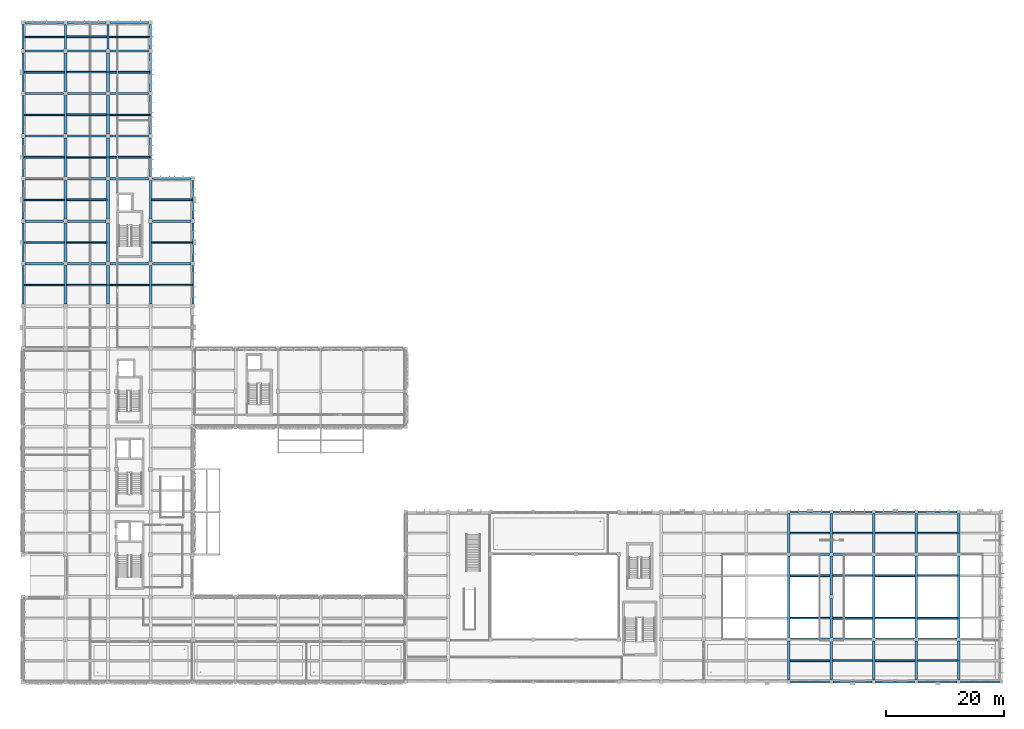
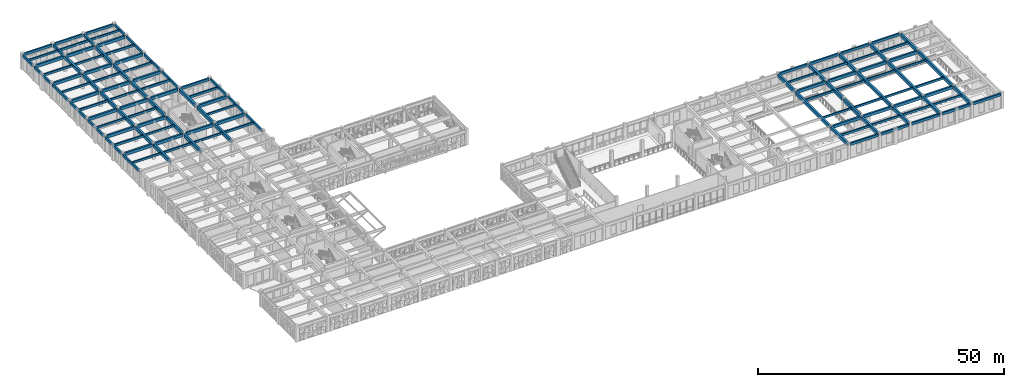
# One storey, part 16 of 88: 125 beams.
"""IFC4 building model written with IfcOpenShell, lengths in metres."""

from ifc_helpers import new_model, si_unit, direction, frame, origin, origin_2d, place, context, subcontext, project, spatial, rectangle, extrude, material, material_profile, profile_set, type_object, element, save


model = new_model("IFC4")

# Units and contexts
model_context = context("Model", 3, precision=1e-05, world=origin(), true_north=direction((0.0, 1.0)))
body_context = subcontext(model_context, "Body", "Model", "MODEL_VIEW")
ifc_project = project(units=[si_unit("LENGTHUNIT", "METRE"), si_unit("AREAUNIT", "SQUARE_METRE"), si_unit("VOLUMEUNIT", "CUBIC_METRE"), si_unit("PLANEANGLEUNIT", "RADIAN"), si_unit("MASSUNIT", "GRAM", prefix="KILO")], contexts=[model_context])

# Site, building, storey
site_placement = place(None, origin())
site = spatial("IfcSite", under=ifc_project, at=site_placement, CompositionType="ELEMENT")
building_placement = place(site_placement, origin())
building = spatial("IfcBuilding", under=site, at=building_placement, Name="Alvorim Cloister Faculty of Sciences", CompositionType="ELEMENT")
storey_placement = place(building_placement, frame((0.0, 0.0, 4.5)))
storey = spatial("IfcBuildingStorey", under=building, at=storey_placement, Name="L01", CompositionType="ELEMENT", Elevation=4.5)

# Beams
ifc_material = material(Name="Concrete C40", Category="concrete")
ifc_material_profile_1 = material_profile(ifc_material, rectangle(XDim=0.260009765625, YDim=0.5, at=origin_2d()), Name="RC40-JST-260x500")
ifc_profile_set_1 = profile_set([ifc_material_profile_1], Name="Concrete C40")
beam_type_1 = type_object("IfcBeamType", Name="BM-JST-RC-260x500", PredefinedType="JOIST", material=ifc_profile_set_1)
for number, where, z_axis, x_axis, name in (
    (1, (0.175048828125, 67.199951171875, 3.5400390625), (1.0, 0.0, 0.0), (0.0, 1.0, 0.0), "L01 Secondary Floor Joist BM-1151"),
    (2, (0.175048828125, 81.60009765625, 3.5400390625), (1.0, 0.0, 0.0), (0.0, 1.0, 0.0), "L01 Secondary Floor Joist BM-1153"),
    (3, (0.175048828125, 96.0, 3.5400390625), (1.0, 0.0, 0.0), (0.0, 1.0, 0.0), "L01 Secondary Floor Joist BM-1155"),
):
    element("IfcBeam", number, at=place(storey_placement, frame(where, z_axis=z_axis, x_axis=x_axis)), inside=storey, type_object=beam_type_1, Name=name, PredefinedType="JOIST", context=body_context, shape_type="SweptSolid", body=[
        extrude(rectangle(XDim=0.260009765625, YDim=0.5, at=origin_2d()), origin(), (0.0, 0.0, 1.0), 6.800048828125),
    ])
beam_1_placement = place(storey_placement, frame((0.175048828125, 109.199951171875, 3.5400390625), z_axis=(1.0, 0.0, 0.0), x_axis=(0.0, 1.0, 0.0)))
element("IfcBeam", 4, at=beam_1_placement, inside=storey, type_object=beam_type_1, Name="L01 Secondary Floor Joist BM-1157", PredefinedType="JOIST", context=body_context, shape_type="SweptSolid", body=[
    extrude(rectangle(XDim=0.260009765625, YDim=0.5, at=origin_2d()), origin(), (0.0, 0.0, 1.0), 6.8349609375),
])
for number, where, z_axis, x_axis, name in (
    (5, (7.425048828125, 74.39990234375, 3.5400390625), (1.0, 0.0, 0.0), (0.0, 1.0, 0.0), "L01 Secondary Floor Joist BM-1168"),
    (6, (7.425048828125, 88.800048828125, 3.5400390625), (1.0, 0.0, 0.0), (0.0, 1.0, 0.0), "L01 Secondary Floor Joist BM-1170"),
    (7, (7.425048828125, 103.199951171875, 3.5400390625), (1.0, 0.0, 0.0), (0.0, 1.0, 0.0), "L01 Secondary Floor Joist BM-1172"),
    (8, (14.625, 67.199951171875, 3.5400390625), (1.0, 0.0, 0.0), (0.0, 1.0, 0.0), "L01 Secondary Floor Joist BM-1177"),
):
    element("IfcBeam", number, at=place(storey_placement, frame(where, z_axis=z_axis, x_axis=x_axis)), inside=storey, type_object=beam_type_1, Name=name, PredefinedType="JOIST", context=body_context, shape_type="SweptSolid", body=[
        extrude(rectangle(XDim=0.260009765625, YDim=0.5, at=origin_2d()), origin(), (0.0, 0.0, 1.0), 6.75),
    ])
beam_2_placement = place(storey_placement, frame((14.625, 96.0, 3.5400390625), z_axis=(1.0, 0.0, 0.0), x_axis=(0.0, 1.0, 0.0)))
element("IfcBeam", 9, at=beam_2_placement, inside=storey, type_object=beam_type_1, Name="L01 Secondary Floor Joist BM-1179", PredefinedType="JOIST", context=body_context, shape_type="SweptSolid", body=[
    extrude(rectangle(XDim=0.260009765625, YDim=0.5, at=origin_2d()), origin(), (0.0, 0.0, 1.0), 6.800048828125),
])
beam_3_placement = place(storey_placement, frame((14.590087890625, 109.199951171875, 3.5400390625), z_axis=(1.0, 0.0, 0.0), x_axis=(0.0, 1.0, 0.0)))
element("IfcBeam", 10, at=beam_3_placement, inside=storey, type_object=beam_type_1, Name="L01 Secondary Floor Joist BM-1181", PredefinedType="JOIST", context=body_context, shape_type="SweptSolid", body=[
    extrude(rectangle(XDim=0.260009765625, YDim=0.5, at=origin_2d()), origin(), (0.0, 0.0, 1.0), 6.8349609375),
])
beam_4_placement = place(storey_placement, frame((21.824951171875, 74.39990234375, 3.5400390625), z_axis=(1.0, 0.0, 0.0), x_axis=(0.0, 1.0, 0.0)))
element("IfcBeam", 11, at=beam_4_placement, inside=storey, type_object=beam_type_1, Name="L01 Secondary Floor Joist BM-1192", PredefinedType="JOIST", context=body_context, shape_type="SweptSolid", body=[
    extrude(rectangle(XDim=0.260009765625, YDim=0.5, at=origin_2d()), origin(), (0.0, 0.0, 1.0), 6.800048828125),
])
for number, where, z_axis, x_axis, name in (
    (12, (129.824951171875, 10.800048828125, 3.5400390625), (1.0, 0.0, 0.0), (0.0, 1.0, 0.0), "L01 Secondary Floor Joist BM-1223"),
    (13, (129.824951171875, 25.199951171875, 3.5400390625), (1.0, 0.0, 0.0), (0.0, 1.0, 0.0), "L01 Secondary Floor Joist BM-1225"),
    (14, (137.02490234375, 3.60009765625, 3.5400390625), (1.0, 0.0, 0.0), (0.0, 1.0, 0.0), "L01 Secondary Floor Joist BM-1226"),
    (15, (137.02490234375, 18.0, 3.5400390625), (1.0, 0.0, 0.0), (0.0, 1.0, 0.0), "L01 Secondary Floor Joist BM-1228"),
    (16, (144.22509765625, 10.800048828125, 3.5400390625), (1.0, 0.0, 0.0), (0.0, 1.0, 0.0), "L01 Secondary Floor Joist BM-1231"),
    (17, (144.22509765625, 25.199951171875, 3.5400390625), (1.0, 0.0, 0.0), (0.0, 1.0, 0.0), "L01 Secondary Floor Joist BM-1233"),
    (18, (151.425048828125, 3.60009765625, 3.5400390625), (1.0, 0.0, 0.0), (0.0, 1.0, 0.0), "L01 Secondary Floor Joist BM-1234"),
    (19, (151.425048828125, 18.0, 3.5400390625), (1.0, 0.0, 0.0), (0.0, 1.0, 0.0), "L01 Secondary Floor Joist BM-1236"),
):
    element("IfcBeam", number, at=place(storey_placement, frame(where, z_axis=z_axis, x_axis=x_axis)), inside=storey, type_object=beam_type_1, Name=name, PredefinedType="JOIST", context=body_context, shape_type="SweptSolid", body=[
        extrude(rectangle(XDim=0.260009765625, YDim=0.5, at=origin_2d()), origin(), (0.0, 0.0, 1.0), 6.75),
    ])
ifc_material_profile_2 = material_profile(ifc_material, rectangle(XDim=0.300048828125, YDim=0.550048828125, at=origin_2d()), Name="RC40-JST-300x550")
ifc_profile_set_2 = profile_set([ifc_material_profile_2], Name="Concrete C40")
beam_type_2 = type_object("IfcBeamType", Name="BM-JST-RC-300x550", PredefinedType="JOIST", material=ifc_profile_set_2)
for number, where, z_axis, x_axis, name in (
    (20, (0.175048828125, 74.39990234375, 3.514892578125), (1.0, 0.0, 0.0), (0.0, 1.0, 0.0), "L01 Secondary Floor Joist BM-1152"),
    (21, (0.175048828125, 88.800048828125, 3.514892578125), (1.0, 0.0, 0.0), (0.0, 1.0, 0.0), "L01 Secondary Floor Joist BM-1154"),
    (22, (0.175048828125, 103.199951171875, 3.514892578125), (1.0, 0.0, 0.0), (0.0, 1.0, 0.0), "L01 Secondary Floor Joist BM-1156"),
):
    element("IfcBeam", number, at=place(storey_placement, frame(where, z_axis=z_axis, x_axis=x_axis)), inside=storey, type_object=beam_type_2, Name=name, PredefinedType="JOIST", context=body_context, shape_type="SweptSolid", body=[
        extrude(rectangle(XDim=0.300048828125, YDim=0.550048828125, at=origin_2d()), origin(), (0.0, 0.0, 1.0), 6.800048828125),
    ])
for number, where, z_axis, x_axis, name in (
    (23, (7.425048828125, 67.199951171875, 3.514892578125), (1.0, 0.0, 0.0), (0.0, 1.0, 0.0), "L01 Secondary Floor Joist BM-1167"),
    (24, (7.425048828125, 81.60009765625, 3.514892578125), (1.0, 0.0, 0.0), (0.0, 1.0, 0.0), "L01 Secondary Floor Joist BM-1169"),
    (25, (7.425048828125, 96.0, 3.514892578125), (1.0, 0.0, 0.0), (0.0, 1.0, 0.0), "L01 Secondary Floor Joist BM-1171"),
):
    element("IfcBeam", number, at=place(storey_placement, frame(where, z_axis=z_axis, x_axis=x_axis)), inside=storey, type_object=beam_type_2, Name=name, PredefinedType="JOIST", context=body_context, shape_type="SweptSolid", body=[
        extrude(rectangle(XDim=0.300048828125, YDim=0.550048828125, at=origin_2d()), origin(), (0.0, 0.0, 1.0), 6.75),
    ])
beam_5_placement = place(storey_placement, frame((7.389892578125, 109.199951171875, 3.514892578125), z_axis=(1.0, 0.0, 0.0), x_axis=(0.0, 1.0, 0.0)))
element("IfcBeam", 26, at=beam_5_placement, inside=storey, type_object=beam_type_2, Name="L01 Secondary Floor Joist BM-1173", PredefinedType="JOIST", context=body_context, shape_type="SweptSolid", body=[
    extrude(rectangle(XDim=0.300048828125, YDim=0.550048828125, at=origin_2d()), origin(), (0.0, 0.0, 1.0), 6.820068359375),
])
for number, where, z_axis, x_axis, name in (
    (27, (14.625, 88.800048828125, 3.514892578125), (1.0, 0.0, 0.0), (0.0, 1.0, 0.0), "L01 Secondary Floor Joist BM-1178"),
    (28, (14.625, 103.199951171875, 3.514892578125), (1.0, 0.0, 0.0), (0.0, 1.0, 0.0), "L01 Secondary Floor Joist BM-1180"),
    (29, (21.824951171875, 67.199951171875, 3.514892578125), (1.0, 0.0, 0.0), (0.0, 1.0, 0.0), "L01 Secondary Floor Joist BM-1191"),
    (30, (21.824951171875, 81.60009765625, 3.514892578125), (1.0, 0.0, 0.0), (0.0, 1.0, 0.0), "L01 Secondary Floor Joist BM-1193"),
):
    element("IfcBeam", number, at=place(storey_placement, frame(where, z_axis=z_axis, x_axis=x_axis)), inside=storey, type_object=beam_type_2, Name=name, PredefinedType="JOIST", context=body_context, shape_type="SweptSolid", body=[
        extrude(rectangle(XDim=0.300048828125, YDim=0.550048828125, at=origin_2d()), origin(), (0.0, 0.0, 1.0), 6.800048828125),
    ])
for number, where, z_axis, x_axis, name in (
    (31, (129.824951171875, 3.60009765625, 3.514892578125), (1.0, 0.0, 0.0), (0.0, 1.0, 0.0), "L01 Secondary Floor Joist BM-1222"),
    (32, (129.824951171875, 18.0, 3.514892578125), (1.0, 0.0, 0.0), (0.0, 1.0, 0.0), "L01 Secondary Floor Joist BM-1224"),
    (33, (137.02490234375, 10.800048828125, 3.514892578125), (1.0, 0.0, 0.0), (0.0, 1.0, 0.0), "L01 Secondary Floor Joist BM-1227"),
    (34, (137.02490234375, 25.199951171875, 3.514892578125), (1.0, 0.0, 0.0), (0.0, 1.0, 0.0), "L01 Secondary Floor Joist BM-1229"),
    (35, (144.22509765625, 3.60009765625, 3.514892578125), (1.0, 0.0, 0.0), (0.0, 1.0, 0.0), "L01 Secondary Floor Joist BM-1230"),
    (36, (144.22509765625, 18.0, 3.514892578125), (1.0, 0.0, 0.0), (0.0, 1.0, 0.0), "L01 Secondary Floor Joist BM-1232"),
    (37, (151.425048828125, 10.800048828125, 3.514892578125), (1.0, 0.0, 0.0), (0.0, 1.0, 0.0), "L01 Secondary Floor Joist BM-1235"),
    (38, (151.425048828125, 25.199951171875, 3.514892578125), (1.0, 0.0, 0.0), (0.0, 1.0, 0.0), "L01 Secondary Floor Joist BM-1237"),
):
    element("IfcBeam", number, at=place(storey_placement, frame(where, z_axis=z_axis, x_axis=x_axis)), inside=storey, type_object=beam_type_2, Name=name, PredefinedType="JOIST", context=body_context, shape_type="SweptSolid", body=[
        extrude(rectangle(XDim=0.300048828125, YDim=0.550048828125, at=origin_2d()), origin(), (0.0, 0.0, 1.0), 6.75),
    ])
ifc_material_profile_3 = material_profile(ifc_material, rectangle(XDim=0.3798828125, YDim=0.64990234375, at=origin_2d()), Name="RC40-BM-380x650")
ifc_profile_set_3 = profile_set([ifc_material_profile_3], Name="Concrete C40")
beam_type_3 = type_object("IfcBeamType", Name="BM-RC-380x650", PredefinedType="BEAM", material=ifc_profile_set_3)
for number, where, z_axis, x_axis, name in (
    (39, (7.199951171875, 107.139892578125, 3.465087890625), (0.0, 1.0, 0.0), (-1.0, 0.0, 0.0), "L01 Primary Girder BM-1047"),
    (40, (14.39990234375, 107.139892578125, 3.465087890625), (0.0, 1.0, 0.0), (-1.0, 0.0, 0.0), "L01 Primary Girder BM-1063"),
):
    element("IfcBeam", number, at=place(storey_placement, frame(where, z_axis=z_axis, x_axis=x_axis)), inside=storey, type_object=beam_type_3, Name=name, PredefinedType="BEAM", context=body_context, shape_type="SweptSolid", body=[
        extrude(rectangle(XDim=0.3798828125, YDim=0.64990234375, at=origin_2d()), origin(), (0.0, 0.0, 1.0), 4.1201171875),
    ])
ifc_material_profile_4 = material_profile(ifc_material, rectangle(XDim=0.39990234375, YDim=0.75, at=origin_2d()), Name="RC40-BM-400x750")
ifc_profile_set_4 = profile_set([ifc_material_profile_4], Name="Concrete C40")
beam_type_4 = type_object("IfcBeamType", Name="BM-RC-400x750", PredefinedType="BEAM", material=ifc_profile_set_4)
beam_6_placement = place(storey_placement, frame((129.89990234375, 7.199951171875, 3.4150390625), z_axis=(1.0, 0.0, 0.0), x_axis=(0.0, 1.0, 0.0)))
element("IfcBeam", 41, at=beam_6_placement, inside=storey, type_object=beam_type_4, Name="L01 Primary Beam BM-0919", PredefinedType="BEAM", context=body_context, shape_type="SweptSolid", body=[
    extrude(rectangle(XDim=0.39990234375, YDim=0.75, at=origin_2d()), origin(), (0.0, 0.0, 1.0), 6.60009765625),
])
for number, where, z_axis, x_axis, name in (
    (42, (137.10009765625, 7.199951171875, 3.4150390625), (1.0, 0.0, 0.0), (0.0, 1.0, 0.0), "L01 Primary Beam BM-0920"),
    (43, (144.300048828125, 7.199951171875, 3.4150390625), (1.0, 0.0, 0.0), (0.0, 1.0, 0.0), "L01 Primary Beam BM-0921"),
):
    element("IfcBeam", number, at=place(storey_placement, frame(where, z_axis=z_axis, x_axis=x_axis)), inside=storey, type_object=beam_type_4, Name=name, PredefinedType="BEAM", context=body_context, shape_type="SweptSolid", body=[
        extrude(rectangle(XDim=0.39990234375, YDim=0.75, at=origin_2d()), origin(), (0.0, 0.0, 1.0), 6.599853515625),
    ])
for number, where, z_axis, x_axis, name in (
    (44, (151.5, 7.199951171875, 3.4150390625), (1.0, 0.0, 0.0), (0.0, 1.0, 0.0), "L01 Primary Beam BM-0922"),
    (45, (129.89990234375, 21.60009765625, 3.4150390625), (1.0, 0.0, 0.0), (0.0, 1.0, 0.0), "L01 Primary Beam BM-0941"),
):
    element("IfcBeam", number, at=place(storey_placement, frame(where, z_axis=z_axis, x_axis=x_axis)), inside=storey, type_object=beam_type_4, Name=name, PredefinedType="BEAM", context=body_context, shape_type="SweptSolid", body=[
        extrude(rectangle(XDim=0.39990234375, YDim=0.75, at=origin_2d()), origin(), (0.0, 0.0, 1.0), 6.60009765625),
    ])
for number, where, z_axis, x_axis, name in (
    (46, (137.10009765625, 21.60009765625, 3.4150390625), (1.0, 0.0, 0.0), (0.0, 1.0, 0.0), "L01 Primary Beam BM-0942"),
    (47, (144.300048828125, 21.60009765625, 3.4150390625), (1.0, 0.0, 0.0), (0.0, 1.0, 0.0), "L01 Primary Beam BM-0943"),
):
    element("IfcBeam", number, at=place(storey_placement, frame(where, z_axis=z_axis, x_axis=x_axis)), inside=storey, type_object=beam_type_4, Name=name, PredefinedType="BEAM", context=body_context, shape_type="SweptSolid", body=[
        extrude(rectangle(XDim=0.39990234375, YDim=0.75, at=origin_2d()), origin(), (0.0, 0.0, 1.0), 6.599853515625),
    ])
beam_7_placement = place(storey_placement, frame((151.5, 21.60009765625, 3.4150390625), z_axis=(1.0, 0.0, 0.0), x_axis=(0.0, 1.0, 0.0)))
element("IfcBeam", 48, at=beam_7_placement, inside=storey, type_object=beam_type_4, Name="L01 Primary Beam BM-0944", PredefinedType="BEAM", context=body_context, shape_type="SweptSolid", body=[
    extrude(rectangle(XDim=0.39990234375, YDim=0.75, at=origin_2d()), origin(), (0.0, 0.0, 1.0), 6.60009765625),
])
for number, where, z_axis, x_axis, name in (
    (49, (0.340087890625, 70.800048828125, 3.4150390625), (1.0, 0.0, 0.0), (0.0, 1.0, 0.0), "L01 Primary Beam BM-0994"),
    (50, (7.5400390625, 70.800048828125, 3.4150390625), (1.0, 0.0, 0.0), (0.0, 1.0, 0.0), "L01 Primary Beam BM-0995"),
    (51, (14.739990234375, 70.800048828125, 3.4150390625), (1.0, 0.0, 0.0), (0.0, 1.0, 0.0), "L01 Primary Beam BM-0996"),
    (52, (21.93994140625, 70.800048828125, 3.4150390625), (1.0, 0.0, 0.0), (0.0, 1.0, 0.0), "L01 Primary Beam BM-0997"),
    (53, (0.340087890625, 78.0, 3.4150390625), (1.0, 0.0, 0.0), (0.0, 1.0, 0.0), "L01 Primary Beam BM-0998"),
    (54, (7.5400390625, 78.0, 3.4150390625), (1.0, 0.0, 0.0), (0.0, 1.0, 0.0), "L01 Primary Beam BM-0999"),
    (55, (21.93994140625, 78.0, 3.4150390625), (1.0, 0.0, 0.0), (0.0, 1.0, 0.0), "L01 Primary Beam BM-1000"),
    (56, (0.340087890625, 85.199951171875, 3.4150390625), (1.0, 0.0, 0.0), (0.0, 1.0, 0.0), "L01 Primary Beam BM-1001"),
    (57, (7.5400390625, 85.199951171875, 3.4150390625), (1.0, 0.0, 0.0), (0.0, 1.0, 0.0), "L01 Primary Beam BM-1002"),
    (58, (14.739990234375, 85.199951171875, 3.4150390625), (1.0, 0.0, 0.0), (0.0, 1.0, 0.0), "L01 Primary Beam BM-1003"),
    (59, (0.340087890625, 92.39990234375, 3.4150390625), (1.0, 0.0, 0.0), (0.0, 1.0, 0.0), "L01 Primary Beam BM-1005"),
    (60, (7.5400390625, 92.39990234375, 3.4150390625), (1.0, 0.0, 0.0), (0.0, 1.0, 0.0), "L01 Primary Beam BM-1006"),
    (61, (14.739990234375, 92.39990234375, 3.4150390625), (1.0, 0.0, 0.0), (0.0, 1.0, 0.0), "L01 Primary Beam BM-1007"),
    (62, (0.340087890625, 99.60009765625, 3.4150390625), (1.0, 0.0, 0.0), (0.0, 1.0, 0.0), "L01 Primary Beam BM-1008"),
    (63, (7.5400390625, 99.60009765625, 3.4150390625), (1.0, 0.0, 0.0), (0.0, 1.0, 0.0), "L01 Primary Beam BM-1009"),
    (64, (14.739990234375, 99.60009765625, 3.4150390625), (1.0, 0.0, 0.0), (0.0, 1.0, 0.0), "L01 Primary Beam BM-1010"),
    (65, (0.340087890625, 106.800048828125, 3.4150390625), (1.0, 0.0, 0.0), (0.0, 1.0, 0.0), "L01 Primary Beam BM-1011"),
    (66, (7.5400390625, 106.800048828125, 3.4150390625), (1.0, 0.0, 0.0), (0.0, 1.0, 0.0), "L01 Primary Beam BM-1012"),
    (67, (14.739990234375, 106.800048828125, 3.4150390625), (1.0, 0.0, 0.0), (0.0, 1.0, 0.0), "L01 Primary Beam BM-1013"),
):
    element("IfcBeam", number, at=place(storey_placement, frame(where, z_axis=z_axis, x_axis=x_axis)), inside=storey, type_object=beam_type_4, Name=name, PredefinedType="BEAM", context=body_context, shape_type="SweptSolid", body=[
        extrude(rectangle(XDim=0.39990234375, YDim=0.75, at=origin_2d()), origin(), (0.0, 0.0, 1.0), 6.52001953125),
    ])
ifc_material_profile_5 = material_profile(ifc_material, rectangle(XDim=0.449951171875, YDim=0.85009765625, at=origin_2d()), Name="RC40-BM-450x850")
ifc_profile_set_5 = profile_set([ifc_material_profile_5], Name="Concrete C40")
beam_type_5 = type_object("IfcBeamType", Name="BM-RC-450x850", PredefinedType="BEAM", material=ifc_profile_set_5)
for number, where, z_axis, x_axis, name in (
    (68, (7.199951171875, 63.93994140625, 3.364990234375), (0.0, 1.0, 0.0), (-1.0, 0.0, 0.0), "L01 Primary Girder BM-1041"),
    (69, (7.199951171875, 71.139892578125, 3.364990234375), (0.0, 1.0, 0.0), (-1.0, 0.0, 0.0), "L01 Primary Girder BM-1042"),
    (70, (7.199951171875, 78.340087890625, 3.364990234375), (0.0, 1.0, 0.0), (-1.0, 0.0, 0.0), "L01 Primary Girder BM-1043"),
    (71, (7.199951171875, 85.5400390625, 3.364990234375), (0.0, 1.0, 0.0), (-1.0, 0.0, 0.0), "L01 Primary Girder BM-1044"),
    (72, (7.199951171875, 92.739990234375, 3.364990234375), (0.0, 1.0, 0.0), (-1.0, 0.0, 0.0), "L01 Primary Girder BM-1045"),
    (73, (7.199951171875, 99.93994140625, 3.364990234375), (0.0, 1.0, 0.0), (-1.0, 0.0, 0.0), "L01 Primary Girder BM-1046"),
    (74, (14.39990234375, 63.93994140625, 3.364990234375), (0.0, 1.0, 0.0), (-1.0, 0.0, 0.0), "L01 Primary Girder BM-1057"),
    (75, (14.39990234375, 71.139892578125, 3.364990234375), (0.0, 1.0, 0.0), (-1.0, 0.0, 0.0), "L01 Primary Girder BM-1058"),
    (76, (14.39990234375, 78.340087890625, 3.364990234375), (0.0, 1.0, 0.0), (-1.0, 0.0, 0.0), "L01 Primary Girder BM-1059"),
    (77, (14.39990234375, 85.5400390625, 3.364990234375), (0.0, 1.0, 0.0), (-1.0, 0.0, 0.0), "L01 Primary Girder BM-1060"),
    (78, (14.39990234375, 92.739990234375, 3.364990234375), (0.0, 1.0, 0.0), (-1.0, 0.0, 0.0), "L01 Primary Girder BM-1061"),
    (79, (14.39990234375, 99.93994140625, 3.364990234375), (0.0, 1.0, 0.0), (-1.0, 0.0, 0.0), "L01 Primary Girder BM-1062"),
    (80, (21.60009765625, 63.93994140625, 3.364990234375), (0.0, 1.0, 0.0), (-1.0, 0.0, 0.0), "L01 Primary Girder BM-1073"),
    (81, (21.60009765625, 71.139892578125, 3.364990234375), (0.0, 1.0, 0.0), (-1.0, 0.0, 0.0), "L01 Primary Girder BM-1074"),
    (82, (21.60009765625, 78.340087890625, 3.364990234375), (0.0, 1.0, 0.0), (-1.0, 0.0, 0.0), "L01 Primary Girder BM-1075"),
):
    element("IfcBeam", number, at=place(storey_placement, frame(where, z_axis=z_axis, x_axis=x_axis)), inside=storey, type_object=beam_type_5, Name=name, PredefinedType="BEAM", context=body_context, shape_type="SweptSolid", body=[
        extrude(rectangle(XDim=0.449951171875, YDim=0.85009765625, at=origin_2d()), origin(), (0.0, 0.0, 1.0), 6.52001953125),
    ])
beam_8_placement = place(storey_placement, frame((129.60009765625, 0.300048828125, 3.364990234375), z_axis=(0.0, 1.0, 0.0), x_axis=(-1.0, 0.0, 0.0)))
element("IfcBeam", 83, at=beam_8_placement, inside=storey, type_object=beam_type_5, Name="L01 Primary Girder BM-1123", PredefinedType="BEAM", context=body_context, shape_type="SweptSolid", body=[
    extrude(rectangle(XDim=0.449951171875, YDim=0.85009765625, at=origin_2d()), origin(), (0.0, 0.0, 1.0), 6.599853515625),
])
beam_9_placement = place(storey_placement, frame((129.60009765625, 7.5, 3.364990234375), z_axis=(0.0, 1.0, 0.0), x_axis=(-1.0, 0.0, 0.0)))
element("IfcBeam", 84, at=beam_9_placement, inside=storey, type_object=beam_type_5, Name="L01 Primary Girder BM-1124", PredefinedType="BEAM", context=body_context, shape_type="SweptSolid", body=[
    extrude(rectangle(XDim=0.449951171875, YDim=0.85009765625, at=origin_2d()), origin(), (0.0, 0.0, 1.0), 13.800048828125),
])
beam_10_placement = place(storey_placement, frame((129.60009765625, 21.89990234375, 3.364990234375), z_axis=(0.0, 1.0, 0.0), x_axis=(-1.0, 0.0, 0.0)))
element("IfcBeam", 85, at=beam_10_placement, inside=storey, type_object=beam_type_5, Name="L01 Primary Girder BM-1125", PredefinedType="BEAM", context=body_context, shape_type="SweptSolid", body=[
    extrude(rectangle(XDim=0.449951171875, YDim=0.85009765625, at=origin_2d()), origin(), (0.0, 0.0, 1.0), 6.60009765625),
])
beam_11_placement = place(storey_placement, frame((136.800048828125, 0.300048828125, 3.364990234375), z_axis=(0.0, 1.0, 0.0), x_axis=(-1.0, 0.0, 0.0)))
element("IfcBeam", 86, at=beam_11_placement, inside=storey, type_object=beam_type_5, Name="L01 Primary Girder BM-1126", PredefinedType="BEAM", context=body_context, shape_type="SweptSolid", body=[
    extrude(rectangle(XDim=0.449951171875, YDim=0.85009765625, at=origin_2d()), origin(), (0.0, 0.0, 1.0), 6.599853515625),
])
for number, where, z_axis, x_axis, name in (
    (87, (136.800048828125, 7.5, 3.364990234375), (0.0, 1.0, 0.0), (-1.0, 0.0, 0.0), "L01 Primary Girder BM-1127"),
    (88, (136.800048828125, 14.699951171875, 3.364990234375), (0.0, 1.0, 0.0), (-1.0, 0.0, 0.0), "L01 Primary Girder BM-1128"),
    (89, (136.800048828125, 21.89990234375, 3.364990234375), (0.0, 1.0, 0.0), (-1.0, 0.0, 0.0), "L01 Primary Girder BM-1129"),
):
    element("IfcBeam", number, at=place(storey_placement, frame(where, z_axis=z_axis, x_axis=x_axis)), inside=storey, type_object=beam_type_5, Name=name, PredefinedType="BEAM", context=body_context, shape_type="SweptSolid", body=[
        extrude(rectangle(XDim=0.449951171875, YDim=0.85009765625, at=origin_2d()), origin(), (0.0, 0.0, 1.0), 6.60009765625),
    ])
beam_12_placement = place(storey_placement, frame((144.0, 0.300048828125, 3.364990234375), z_axis=(0.0, 1.0, 0.0), x_axis=(-1.0, 0.0, 0.0)))
element("IfcBeam", 90, at=beam_12_placement, inside=storey, type_object=beam_type_5, Name="L01 Primary Girder BM-1130", PredefinedType="BEAM", context=body_context, shape_type="SweptSolid", body=[
    extrude(rectangle(XDim=0.449951171875, YDim=0.85009765625, at=origin_2d()), origin(), (0.0, 0.0, 1.0), 6.599853515625),
])
beam_13_placement = place(storey_placement, frame((144.0, 7.5, 3.364990234375), z_axis=(0.0, 1.0, 0.0), x_axis=(-1.0, 0.0, 0.0)))
element("IfcBeam", 91, at=beam_13_placement, inside=storey, type_object=beam_type_5, Name="L01 Primary Girder BM-1131", PredefinedType="BEAM", context=body_context, shape_type="SweptSolid", body=[
    extrude(rectangle(XDim=0.449951171875, YDim=0.85009765625, at=origin_2d()), origin(), (0.0, 0.0, 1.0), 13.800048828125),
])
beam_14_placement = place(storey_placement, frame((144.0, 21.89990234375, 3.364990234375), z_axis=(0.0, 1.0, 0.0), x_axis=(-1.0, 0.0, 0.0)))
element("IfcBeam", 92, at=beam_14_placement, inside=storey, type_object=beam_type_5, Name="L01 Primary Girder BM-1132", PredefinedType="BEAM", context=body_context, shape_type="SweptSolid", body=[
    extrude(rectangle(XDim=0.449951171875, YDim=0.85009765625, at=origin_2d()), origin(), (0.0, 0.0, 1.0), 6.60009765625),
])
beam_15_placement = place(storey_placement, frame((151.199951171875, 0.300048828125, 3.364990234375), z_axis=(0.0, 1.0, 0.0), x_axis=(-1.0, 0.0, 0.0)))
element("IfcBeam", 93, at=beam_15_placement, inside=storey, type_object=beam_type_5, Name="L01 Primary Girder BM-1133", PredefinedType="BEAM", context=body_context, shape_type="SweptSolid", body=[
    extrude(rectangle(XDim=0.449951171875, YDim=0.85009765625, at=origin_2d()), origin(), (0.0, 0.0, 1.0), 6.599853515625),
])
beam_16_placement = place(storey_placement, frame((151.199951171875, 7.5, 3.364990234375), z_axis=(0.0, 1.0, 0.0), x_axis=(-1.0, 0.0, 0.0)))
element("IfcBeam", 94, at=beam_16_placement, inside=storey, type_object=beam_type_5, Name="L01 Primary Girder BM-1134", PredefinedType="BEAM", context=body_context, shape_type="SweptSolid", body=[
    extrude(rectangle(XDim=0.449951171875, YDim=0.85009765625, at=origin_2d()), origin(), (0.0, 0.0, 1.0), 13.800048828125),
])
beam_17_placement = place(storey_placement, frame((151.199951171875, 21.89990234375, 3.364990234375), z_axis=(0.0, 1.0, 0.0), x_axis=(-1.0, 0.0, 0.0)))
element("IfcBeam", 95, at=beam_17_placement, inside=storey, type_object=beam_type_5, Name="L01 Primary Girder BM-1135", PredefinedType="BEAM", context=body_context, shape_type="SweptSolid", body=[
    extrude(rectangle(XDim=0.449951171875, YDim=0.85009765625, at=origin_2d()), origin(), (0.0, 0.0, 1.0), 6.60009765625),
])
beam_18_placement = place(storey_placement, frame((158.39990234375, 0.300048828125, 3.364990234375), z_axis=(0.0, 1.0, 0.0), x_axis=(-1.0, 0.0, 0.0)))
element("IfcBeam", 96, at=beam_18_placement, inside=storey, type_object=beam_type_5, Name="L01 Primary Girder BM-1136", PredefinedType="BEAM", context=body_context, shape_type="SweptSolid", body=[
    extrude(rectangle(XDim=0.449951171875, YDim=0.85009765625, at=origin_2d()), origin(), (0.0, 0.0, 1.0), 6.599853515625),
])
beam_19_placement = place(storey_placement, frame((158.39990234375, 7.5, 3.364990234375), z_axis=(0.0, 1.0, 0.0), x_axis=(-1.0, 0.0, 0.0)))
element("IfcBeam", 97, at=beam_19_placement, inside=storey, type_object=beam_type_5, Name="L01 Primary Girder BM-1137", PredefinedType="BEAM", context=body_context, shape_type="SweptSolid", body=[
    extrude(rectangle(XDim=0.449951171875, YDim=0.85009765625, at=origin_2d()), origin(), (0.0, 0.0, 1.0), 13.800048828125),
])
beam_20_placement = place(storey_placement, frame((158.39990234375, 21.89990234375, 3.364990234375), z_axis=(0.0, 1.0, 0.0), x_axis=(-1.0, 0.0, 0.0)))
element("IfcBeam", 98, at=beam_20_placement, inside=storey, type_object=beam_type_5, Name="L01 Primary Girder BM-1138", PredefinedType="BEAM", context=body_context, shape_type="SweptSolid", body=[
    extrude(rectangle(XDim=0.449951171875, YDim=0.85009765625, at=origin_2d()), origin(), (0.0, 0.0, 1.0), 6.60009765625),
])
ifc_material_profile_6 = material_profile(ifc_material, rectangle(XDim=0.35009765625, YDim=0.6201171875, at=origin_2d()), Name="RC40-SPD-350x620")
ifc_profile_set_6 = profile_set([ifc_material_profile_6], Name="Concrete C40")
beam_type_6 = type_object("IfcBeamType", Name="BM-SPD-RC-350x620", PredefinedType="SPANDREL", material=ifc_profile_set_6)
beam_21_placement = place(storey_placement, frame((129.89990234375, 0.0, 3.47998046875), z_axis=(1.0, 0.0, 0.0), x_axis=(0.0, 1.0, 0.0)))
element("IfcBeam", 99, at=beam_21_placement, inside=storey, type_object=beam_type_6, Name="L01 Primary Beam BM-0901", PredefinedType="SPANDREL", context=body_context, shape_type="SweptSolid", body=[
    extrude(rectangle(XDim=0.35009765625, YDim=0.6201171875, at=origin_2d()), origin(), (0.0, 0.0, 1.0), 6.60009765625),
])
for number, where, z_axis, x_axis, name in (
    (100, (137.10009765625, 0.0, 3.47998046875), (1.0, 0.0, 0.0), (0.0, 1.0, 0.0), "L01 Primary Beam BM-0902"),
    (101, (144.300048828125, 0.0, 3.47998046875), (1.0, 0.0, 0.0), (0.0, 1.0, 0.0), "L01 Primary Beam BM-0903"),
):
    element("IfcBeam", number, at=place(storey_placement, frame(where, z_axis=z_axis, x_axis=x_axis)), inside=storey, type_object=beam_type_6, Name=name, PredefinedType="SPANDREL", context=body_context, shape_type="SweptSolid", body=[
        extrude(rectangle(XDim=0.35009765625, YDim=0.6201171875, at=origin_2d()), origin(), (0.0, 0.0, 1.0), 6.599853515625),
    ])
for number, where, z_axis, x_axis, name in (
    (102, (151.5, 0.0, 3.47998046875), (1.0, 0.0, 0.0), (0.0, 1.0, 0.0), "L01 Primary Beam BM-0904"),
    (103, (158.699951171875, 0.0, 3.47998046875), (1.0, 0.0, 0.0), (0.0, 1.0, 0.0), "L01 Primary Beam BM-0905"),
    (104, (129.89990234375, 28.800048828125, 3.47998046875), (1.0, 0.0, 0.0), (0.0, 1.0, 0.0), "L01 Primary Beam BM-0958"),
):
    element("IfcBeam", number, at=place(storey_placement, frame(where, z_axis=z_axis, x_axis=x_axis)), inside=storey, type_object=beam_type_6, Name=name, PredefinedType="SPANDREL", context=body_context, shape_type="SweptSolid", body=[
        extrude(rectangle(XDim=0.35009765625, YDim=0.6201171875, at=origin_2d()), origin(), (0.0, 0.0, 1.0), 6.60009765625),
    ])
for number, where, z_axis, x_axis, name in (
    (105, (137.10009765625, 28.800048828125, 3.47998046875), (1.0, 0.0, 0.0), (0.0, 1.0, 0.0), "L01 Primary Beam BM-0959"),
    (106, (144.300048828125, 28.800048828125, 3.47998046875), (1.0, 0.0, 0.0), (0.0, 1.0, 0.0), "L01 Primary Beam BM-0960"),
):
    element("IfcBeam", number, at=place(storey_placement, frame(where, z_axis=z_axis, x_axis=x_axis)), inside=storey, type_object=beam_type_6, Name=name, PredefinedType="SPANDREL", context=body_context, shape_type="SweptSolid", body=[
        extrude(rectangle(XDim=0.35009765625, YDim=0.6201171875, at=origin_2d()), origin(), (0.0, 0.0, 1.0), 6.599853515625),
    ])
beam_22_placement = place(storey_placement, frame((151.5, 28.800048828125, 3.47998046875), z_axis=(1.0, 0.0, 0.0), x_axis=(0.0, 1.0, 0.0)))
element("IfcBeam", 107, at=beam_22_placement, inside=storey, type_object=beam_type_6, Name="L01 Primary Beam BM-0961", PredefinedType="SPANDREL", context=body_context, shape_type="SweptSolid", body=[
    extrude(rectangle(XDim=0.35009765625, YDim=0.6201171875, at=origin_2d()), origin(), (0.0, 0.0, 1.0), 6.60009765625),
])
for number, where, z_axis, x_axis, name in (
    (108, (21.93994140625, 85.199951171875, 3.47998046875), (1.0, 0.0, 0.0), (0.0, 1.0, 0.0), "L01 Primary Beam BM-1004"),
    (109, (0.340087890625, 111.60009765625, 3.47998046875), (1.0, 0.0, 0.0), (0.0, 1.0, 0.0), "L01 Primary Beam BM-1014"),
    (110, (7.5400390625, 111.60009765625, 3.47998046875), (1.0, 0.0, 0.0), (0.0, 1.0, 0.0), "L01 Primary Beam BM-1015"),
    (111, (14.739990234375, 111.60009765625, 3.47998046875), (1.0, 0.0, 0.0), (0.0, 1.0, 0.0), "L01 Primary Beam BM-1016"),
    (112, (0.0, 63.93994140625, 3.47998046875), (0.0, 1.0, 0.0), (-1.0, 0.0, 0.0), "L01 Primary Girder BM-1025"),
    (113, (0.0, 71.139892578125, 3.47998046875), (0.0, 1.0, 0.0), (-1.0, 0.0, 0.0), "L01 Primary Girder BM-1026"),
    (114, (0.0, 78.340087890625, 3.47998046875), (0.0, 1.0, 0.0), (-1.0, 0.0, 0.0), "L01 Primary Girder BM-1027"),
    (115, (0.0, 85.5400390625, 3.47998046875), (0.0, 1.0, 0.0), (-1.0, 0.0, 0.0), "L01 Primary Girder BM-1028"),
    (116, (0.0, 92.739990234375, 3.47998046875), (0.0, 1.0, 0.0), (-1.0, 0.0, 0.0), "L01 Primary Girder BM-1029"),
    (117, (0.0, 99.93994140625, 3.47998046875), (0.0, 1.0, 0.0), (-1.0, 0.0, 0.0), "L01 Primary Girder BM-1030"),
):
    element("IfcBeam", number, at=place(storey_placement, frame(where, z_axis=z_axis, x_axis=x_axis)), inside=storey, type_object=beam_type_6, Name=name, PredefinedType="SPANDREL", context=body_context, shape_type="SweptSolid", body=[
        extrude(rectangle(XDim=0.35009765625, YDim=0.6201171875, at=origin_2d()), origin(), (0.0, 0.0, 1.0), 6.52001953125),
    ])
beam_23_placement = place(storey_placement, frame((0.0, 107.139892578125, 3.47998046875), z_axis=(0.0, 1.0, 0.0), x_axis=(-1.0, 0.0, 0.0)))
element("IfcBeam", 118, at=beam_23_placement, inside=storey, type_object=beam_type_6, Name="L01 Primary Girder BM-1031", PredefinedType="SPANDREL", context=body_context, shape_type="SweptSolid", body=[
    extrude(rectangle(XDim=0.35009765625, YDim=0.6201171875, at=origin_2d()), origin(), (0.0, 0.0, 1.0), 4.1201171875),
])
for number, where, z_axis, x_axis, name in (
    (119, (21.60009765625, 85.5400390625, 3.47998046875), (0.0, 1.0, 0.0), (-1.0, 0.0, 0.0), "L01 Primary Girder BM-1076"),
    (120, (21.60009765625, 92.739990234375, 3.47998046875), (0.0, 1.0, 0.0), (-1.0, 0.0, 0.0), "L01 Primary Girder BM-1077"),
    (121, (21.60009765625, 99.93994140625, 3.47998046875), (0.0, 1.0, 0.0), (-1.0, 0.0, 0.0), "L01 Primary Girder BM-1078"),
):
    element("IfcBeam", number, at=place(storey_placement, frame(where, z_axis=z_axis, x_axis=x_axis)), inside=storey, type_object=beam_type_6, Name=name, PredefinedType="SPANDREL", context=body_context, shape_type="SweptSolid", body=[
        extrude(rectangle(XDim=0.35009765625, YDim=0.6201171875, at=origin_2d()), origin(), (0.0, 0.0, 1.0), 6.52001953125),
    ])
beam_24_placement = place(storey_placement, frame((21.60009765625, 107.139892578125, 3.47998046875), z_axis=(0.0, 1.0, 0.0), x_axis=(-1.0, 0.0, 0.0)))
element("IfcBeam", 122, at=beam_24_placement, inside=storey, type_object=beam_type_6, Name="L01 Primary Girder BM-1079", PredefinedType="SPANDREL", context=body_context, shape_type="SweptSolid", body=[
    extrude(rectangle(XDim=0.35009765625, YDim=0.6201171875, at=origin_2d()), origin(), (0.0, 0.0, 1.0), 4.1201171875),
])
for number, where, z_axis, x_axis, name in (
    (123, (28.800048828125, 63.93994140625, 3.47998046875), (0.0, 1.0, 0.0), (-1.0, 0.0, 0.0), "L01 Primary Girder BM-1089"),
    (124, (28.800048828125, 71.139892578125, 3.47998046875), (0.0, 1.0, 0.0), (-1.0, 0.0, 0.0), "L01 Primary Girder BM-1090"),
    (125, (28.800048828125, 78.340087890625, 3.47998046875), (0.0, 1.0, 0.0), (-1.0, 0.0, 0.0), "L01 Primary Girder BM-1091"),
):
    element("IfcBeam", number, at=place(storey_placement, frame(where, z_axis=z_axis, x_axis=x_axis)), inside=storey, type_object=beam_type_6, Name=name, PredefinedType="SPANDREL", context=body_context, shape_type="SweptSolid", body=[
        extrude(rectangle(XDim=0.35009765625, YDim=0.6201171875, at=origin_2d()), origin(), (0.0, 0.0, 1.0), 6.52001953125),
    ])

save(model, "model.ifc")
